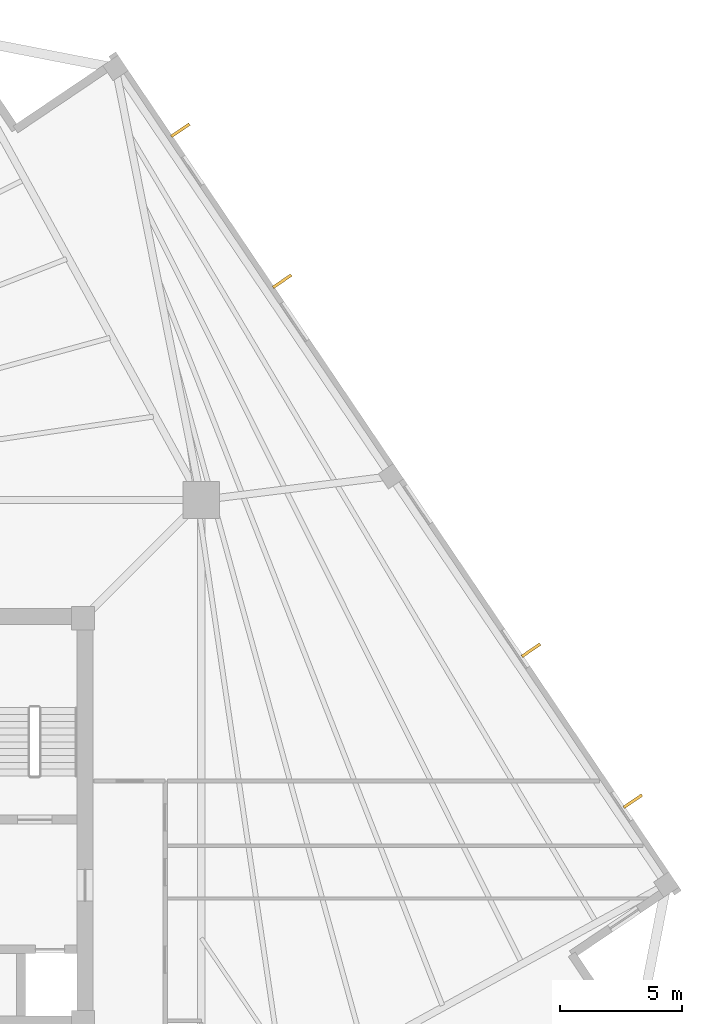
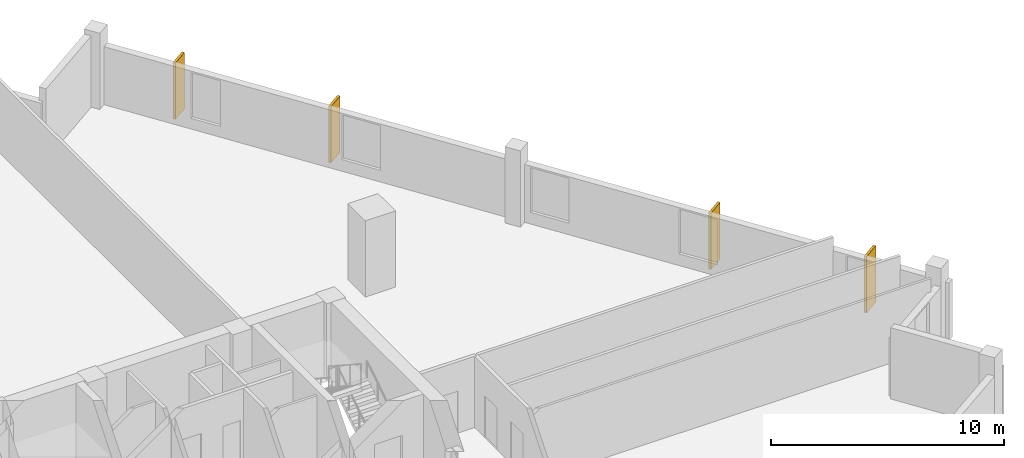
# One storey, part 8 of 8: 4 coverings.
"""IFC4 building model written with IfcOpenShell, lengths in metres."""

from ifc_helpers import new_model, si_unit, direction, frame, origin, origin_2d, place, context, subcontext, project, spatial, rectangle, extrude, source, transform, mapped, material, layer, layer_set, type_object, element, save


model = new_model("IFC4")

# Units and contexts
model_context = context("Model", 3, precision=1e-05, world=origin(), true_north=direction((0.0, 1.0)))
body_context = subcontext(model_context, "Body", "Model", "MODEL_VIEW")
ifc_project = project(units=[si_unit("LENGTHUNIT", "METRE"), si_unit("AREAUNIT", "SQUARE_METRE"), si_unit("VOLUMEUNIT", "CUBIC_METRE"), si_unit("PLANEANGLEUNIT", "RADIAN"), si_unit("MASSUNIT", "GRAM", prefix="KILO"), si_unit("THERMODYNAMICTEMPERATUREUNIT", "KELVIN")], contexts=[model_context])

# Site, building, storey
site_placement = place(None, origin())
site = spatial("IfcSite", under=ifc_project, at=site_placement, CompositionType="ELEMENT")
building_placement = place(site_placement, origin())
building = spatial("IfcBuilding", under=site, at=building_placement, Name="Kosmvard Interchange Tower", CompositionType="ELEMENT")
storey_placement = place(building_placement, frame((0.0, 0.0, 172.39990234375)))
storey = spatial("IfcBuildingStorey", under=building, at=storey_placement, Name="L41", CompositionType="ELEMENT", Elevation=172.39990234375)

# Coverings
ifc_material = material(Name="Architectural anodised aluminium", Category="aluminium")
ifc_layer = layer(ifc_material, 0.1201171875, Name="Architectural anodised aluminium")
ifc_layer_set = layer_set([ifc_layer], Name="Architectural anodised aluminium")
covering_type = type_object("IfcCoveringType", Name="Rotating Vertical Sun-Breaker Fin 900x120 Aluminium", PredefinedType="CLADDING", material=ifc_layer_set)
shared_shape = source(origin(), body_context, "Body", "SweptSolid", [
    extrude(rectangle(XDim=0.89990234375, YDim=0.1201171875, at=origin_2d()), origin(), (0.0, 0.0, 1.0), 2.9599609375),
])
for number, where, z_axis, x_axis, name in (
    (1, (30.718994140625, 0.774169921875, 0.0400390625), (0.0, 0.0, 1.0), (0.826786154745, 0.562516359159, 0.0), "L41 Rotating Vertical Sun-Breaker Fin 05"),
    (2, (26.557861328125, 6.943115234375, 0.0400390625), (0.0, 0.0, 1.0), (0.826786154745, 0.562516359159, 0.0), "L41 Rotating Vertical Sun-Breaker Fin 06"),
    (3, (16.38623046875, 22.02294921875, 0.0400390625), (0.0, 0.0, 1.0), (0.826786154745, 0.562516359159, 0.0), "L41 Rotating Vertical Sun-Breaker Fin 07"),
    (4, (12.225341796875, 28.192138671875, 0.0400390625), (0.0, 0.0, 1.0), (0.826786154745, 0.562516359159, 0.0), "L41 Rotating Vertical Sun-Breaker Fin 08"),
):
    element("IfcCovering", number, at=place(storey_placement, frame(where, z_axis=z_axis, x_axis=x_axis)), inside=storey, type_object=covering_type, Name=name, PredefinedType="CLADDING", context=body_context, shape_type="MappedRepresentation", body=[
        mapped(shared_shape, transform((0.0, 0.0, 0.0), scale=1.0)),
    ])

save(model, "model.ifc")
